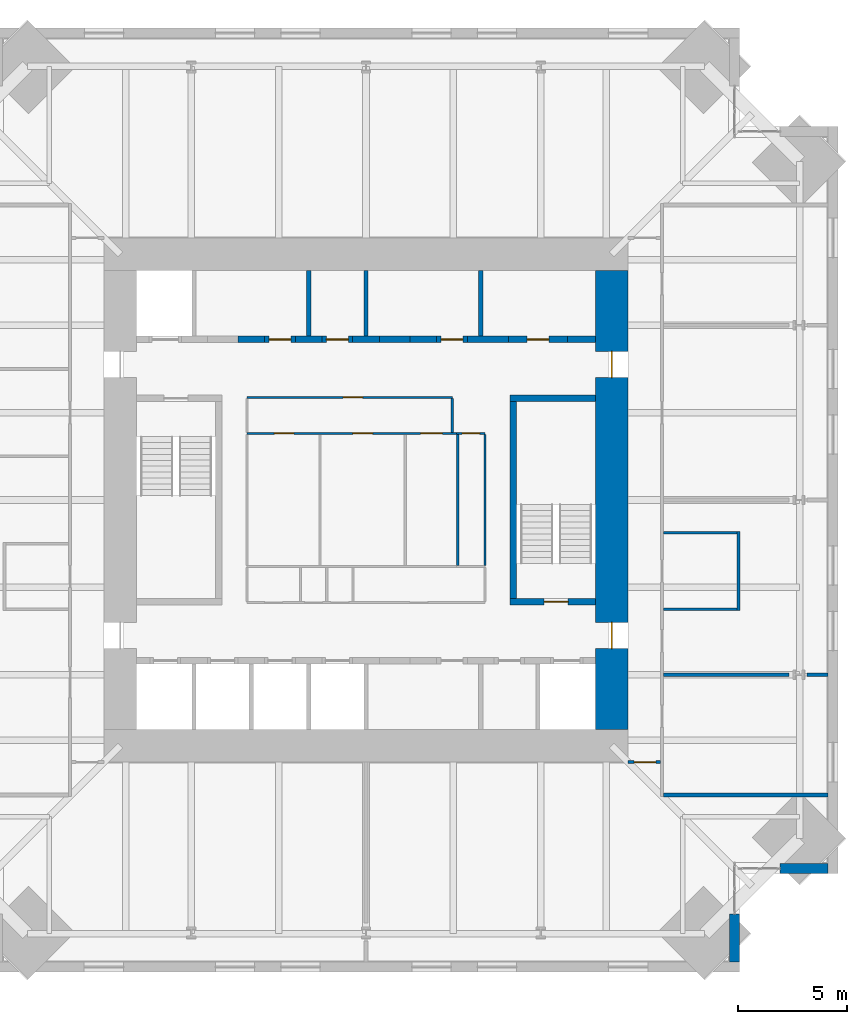
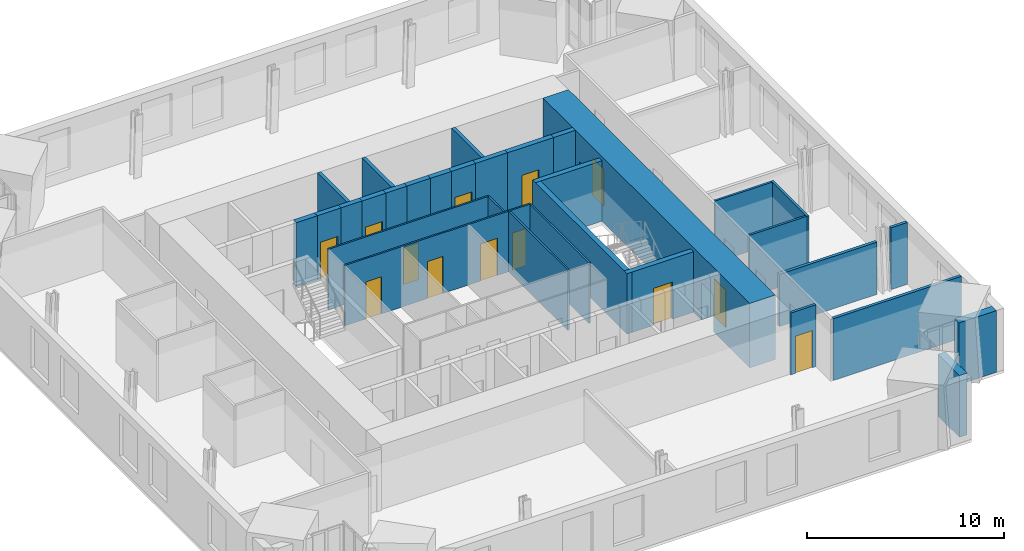
# One storey, part 13 of 16: 33 walls, 13 doors, 13 openings.
"""IFC4 building model written with IfcOpenShell, lengths in metres."""

from ifc_helpers import new_model, si_unit, direction, frame, frame_2d, origin, place, context, subcontext, project, spatial, rectangle, extrude, material, layer, layer_set, type_object, element, fill, save


model = new_model("IFC4")

# Units and contexts
model_context = context("Model", 3, precision=1e-05, world=origin(), true_north=direction((0.0, 1.0)))
body_context = subcontext(model_context, "Body", "Model", "MODEL_VIEW")
ifc_project = project(units=[si_unit("LENGTHUNIT", "METRE"), si_unit("AREAUNIT", "SQUARE_METRE"), si_unit("VOLUMEUNIT", "CUBIC_METRE"), si_unit("PLANEANGLEUNIT", "RADIAN"), si_unit("MASSUNIT", "GRAM", prefix="KILO")], contexts=[model_context])

# Site, building, storey
site_placement = place(None, origin())
site = spatial("IfcSite", under=ifc_project, at=site_placement, CompositionType="ELEMENT")
building_placement = place(site_placement, origin())
building = spatial("IfcBuilding", under=site, at=building_placement, Name="Peilmerk Tower", CompositionType="ELEMENT")
storey_placement = place(building_placement, frame((0.0, 0.0, 273.800048828125)))
storey = spatial("IfcBuildingStorey", under=building, at=storey_placement, Name="L61", CompositionType="ELEMENT", Elevation=273.800048828125)

# Walls
ifc_material_1 = material(Name="Precast concrete C45/55, board-marked finish", Category="concrete")
ifc_layer_1 = layer(ifc_material_1, 0.449951171875)
ifc_layer_set_1 = layer_set([ifc_layer_1], Name="Precast concrete C45/55, board-marked finish")
wall_type_1 = type_object("IfcWallType", Name="EW1 450 precast concrete facade wall, board-marked", PredefinedType="SOLIDWALL", material=ifc_layer_set_1)
for number, where, z_axis, x_axis, name in (
    (1, (16.875, -18.95361328125, 0.0), (0.0, 0.0, 1.0), (0.0, -1.0, 0.0), "Facade wall SEA L61"),
    (2, (18.95361328125, -16.875, 0.0), (0.0, 0.0, 1.0), (1.0, 0.0, 0.0), "Facade wall SEB L61"),
):
    element("IfcWall", number, at=place(storey_placement, frame(where, z_axis=z_axis, x_axis=x_axis)), inside=storey, type_object=wall_type_1, Name=name, PredefinedType="SOLIDWALL", context=body_context, shape_type="SweptSolid", body=[
        extrude(rectangle(XDim=2.1962890625, YDim=0.449951171875, at=frame_2d((1.09814453125, 0.0))), origin(), (0.0, 0.0, 1.0), 3.829833984375),
    ])

# Wall, opening, door
ifc_material_2 = material(Name="Calcium silicate block", Category="masonry")
ifc_layer_2 = layer(ifc_material_2, 0.14990234375)
ifc_layer_set_2 = layer_set([ifc_layer_2], Name="Calcium silicate block")
wall_type_2 = type_object("IfcWallType", Name="IW1 150 corridor partition, EI 60", PredefinedType="PARTITIONING", material=ifc_layer_set_2)
wall_1_placement = place(storey_placement, frame((13.47509765625, -12.0, 0.0), z_axis=(0.0, 0.0, 1.0), x_axis=(-1.0, 0.0, 0.0)))
wall_1 = element("IfcWall", 3, at=wall_1_placement, inside=storey, type_object=wall_type_2, Name="Corridor wall SE L61", PredefinedType="PARTITIONING", context=body_context, shape_type="SweptSolid", body=[
    extrude(rectangle(XDim=1.47509765625, YDim=0.14990234375, at=frame_2d((0.737548828125, 0.0))), origin(), (0.0, 0.0, 1.0), 3.829833984375),
])
opening_1_placement = place(wall_1_placement, frame((0.199951171875, 0.0, 0.0)))
opening_1 = element("IfcOpeningElement", 4, at=opening_1_placement, cuts=wall_1, Name="Opening D1", PredefinedType="OPENING", context=body_context, shape_type="SweptSolid", body=[
    extrude(rectangle(XDim=1.0, YDim=2.300048828125, at=frame_2d((0.5, 1.14990234375))), frame((0.0, 0.0849609375, 0.0), z_axis=(0.0, -1.0, 0.0), x_axis=(1.0, 0.0, 0.0)), (0.0, 0.0, 1.0), 0.169921875),
])
ifc_material_3 = material(Name="Timber door in steel frame", Category="steel")
door_type_1 = type_object("IfcDoorType", Name="D1 1000x2300 room door, EI2 30", OperationType="SINGLE_SWING_LEFT", PredefinedType="DOOR", material=ifc_material_3)
door_1_placement = place(opening_1_placement, origin())
door_1 = element("IfcDoor", 5, at=door_1_placement, inside=storey, type_object=door_type_1, Name="Door Client suite L61", OperationType="SINGLE_SWING_LEFT", OverallHeight=2.300048828125, OverallWidth=1.0, PredefinedType="DOOR", context=body_context, shape_type="SweptSolid", body=[
    extrude(rectangle(XDim=1.0, YDim=2.300048828125, at=frame_2d((0.5, 1.14990234375))), frame((0.0, 0.02490234375, 0.0), z_axis=(0.0, -1.0, 0.0), x_axis=(1.0, 0.0, 0.0)), (0.0, 0.0, 1.0), 0.050048828125),
])
fill(opening_1, door_1)

# Walls
ifc_material_4 = material(Name="Concrete C35/45", Category="concrete")
ifc_layer_3 = layer(ifc_material_4, 0.300048828125)
ifc_layer_set_3 = layer_set([ifc_layer_3], Name="Concrete C35/45")
wall_type_3 = type_object("IfcWallType", Name="IW3 300 concrete stair enclosure wall, EI 120", PredefinedType="SOLIDWALL", material=ifc_layer_set_3)
wall_2_placement = place(storey_placement, frame((6.75, -4.800048828125, 0.0), z_axis=(0.0, 0.0, 1.0), x_axis=(0.0, 1.0, 0.0)))
element("IfcWall", 6, at=wall_2_placement, inside=storey, type_object=wall_type_3, Name="Stair 2 enclosure L61", PredefinedType="SOLIDWALL", context=body_context, shape_type="SweptSolid", body=[
    extrude(rectangle(XDim=9.60009765625, YDim=0.300048828125, at=frame_2d((4.800048828125, 0.0))), origin(), (0.0, 0.0, 1.0), 3.75),
])
wall_3_placement = place(storey_placement, frame((6.60009765625, 4.64990234375, 0.0), z_axis=(0.0, 0.0, 1.0), x_axis=(1.0, 0.0, 0.0)))
element("IfcWall", 7, at=wall_3_placement, inside=storey, type_object=wall_type_3, Name="Stair 2 enclosure L61", PredefinedType="SOLIDWALL", context=body_context, shape_type="SweptSolid", body=[
    extrude(rectangle(XDim=3.89990234375, YDim=0.300048828125, at=frame_2d((1.949951171875, 0.0))), origin(), (0.0, 0.0, 1.0), 3.75),
])

# Wall, opening, door
wall_4_placement = place(storey_placement, frame((10.5, -4.64990234375, 0.0), z_axis=(0.0, 0.0, 1.0), x_axis=(-1.0, 0.0, 0.0)))
wall_4 = element("IfcWall", 8, at=wall_4_placement, inside=storey, type_object=wall_type_3, Name="Stair 2 enclosure L61", PredefinedType="SOLIDWALL", context=body_context, shape_type="SweptSolid", body=[
    extrude(rectangle(XDim=3.89990234375, YDim=0.300048828125, at=frame_2d((1.949951171875, 0.0))), origin(), (0.0, 0.0, 1.0), 3.75),
])
opening_2_placement = place(wall_4_placement, frame((1.25, 0.0, 0.0)))
opening_2 = element("IfcOpeningElement", 9, at=opening_2_placement, cuts=wall_4, Name="Opening D4", PredefinedType="OPENING", context=body_context, shape_type="SweptSolid", body=[
    extrude(rectangle(XDim=1.10009765625, YDim=2.300048828125, at=frame_2d((0.550048828125, 1.14990234375))), frame((0.0, 0.159912109375, 0.0), z_axis=(0.0, -1.0, 0.0), x_axis=(1.0, 0.0, 0.0)), (0.0, 0.0, 1.0), 0.320068359375),
])
ifc_material_5 = material(Name="Steel door in steel frame", Category="steel")
door_type_2 = type_object("IfcDoorType", Name="D4 1100x2300 stair door, EI2 60", OperationType="SINGLE_SWING_RIGHT", PredefinedType="DOOR", material=ifc_material_5)
door_2_placement = place(opening_2_placement, frame((1.10009765625, 0.0, 0.0), z_axis=(0.0, 0.0, 1.0), x_axis=(-1.0, 0.0, 0.0)))
door_2 = element("IfcDoor", 10, at=door_2_placement, inside=storey, type_object=door_type_2, Name="Stair 2 door L61", OperationType="SINGLE_SWING_RIGHT", OverallHeight=2.300048828125, OverallWidth=1.10009765625, PredefinedType="DOOR", context=body_context, shape_type="SweptSolid", body=[
    extrude(rectangle(XDim=1.10009765625, YDim=2.300048828125, at=frame_2d((0.550048828125, 1.14990234375))), frame((0.0, 0.02490234375, 0.0), z_axis=(0.0, -1.0, 0.0), x_axis=(1.0, 0.0, 0.0)), (0.0, 0.0, 1.0), 0.050048828125),
])
fill(opening_2, door_2)

# Wall, openings, doors
ifc_material_6 = material(Name="Plasterboard on steel studs", Category="steel")
ifc_layer_4 = layer(ifc_material_6, 0.10009765625)
ifc_layer_set_4 = layer_set([ifc_layer_4], Name="Plasterboard on steel studs")
wall_type_4 = type_object("IfcWallType", Name="IW4 100 WC partition", PredefinedType="PARTITIONING", material=ifc_layer_set_4)
wall_5_placement = place(storey_placement, frame((-5.449951171875, 3.050048828125, 0.0), z_axis=(0.0, 0.0, 1.0), x_axis=(1.0, 0.0, 0.0)))
wall_5 = element("IfcWall", 11, at=wall_5_placement, inside=storey, type_object=wall_type_4, Name="WC wall L61", PredefinedType="PARTITIONING", context=body_context, shape_type="SweptSolid", body=[
    extrude(rectangle(XDim=9.599853515625, YDim=0.10009765625, at=frame_2d((4.7998046875, 0.0))), origin(), (0.0, 0.0, 1.0), 3.75),
])
opening_3_placement = place(wall_5_placement, frame((1.25, 0.0, 0.0)))
opening_3 = element("IfcOpeningElement", 12, at=opening_3_placement, cuts=wall_5, Name="Opening D5", PredefinedType="OPENING", context=body_context, shape_type="SweptSolid", body=[
    extrude(rectangle(XDim=0.89990234375, YDim=2.300048828125, at=frame_2d((0.449951171875, 1.14990234375))), frame((0.0, 0.06005859375, 0.0), z_axis=(0.0, -1.0, 0.0), x_axis=(1.0, 0.0, 0.0)), (0.0, 0.0, 1.0), 0.1201171875),
])
opening_4_placement = place(wall_5_placement, frame((4.85009765625, 0.0, 0.0)))
opening_4 = element("IfcOpeningElement", 13, at=opening_4_placement, cuts=wall_5, Name="Opening D5", PredefinedType="OPENING", context=body_context, shape_type="SweptSolid", body=[
    extrude(rectangle(XDim=0.89990234375, YDim=2.300048828125, at=frame_2d((0.449951171875, 1.14990234375))), frame((0.0, 0.06005859375, 0.0), z_axis=(0.0, -1.0, 0.0), x_axis=(1.0, 0.0, 0.0)), (0.0, 0.0, 1.0), 0.1201171875),
])
opening_5_placement = place(wall_5_placement, frame((7.949951171875, 0.0, 0.0)))
opening_5 = element("IfcOpeningElement", 14, at=opening_5_placement, cuts=wall_5, Name="Opening D6", PredefinedType="OPENING", context=body_context, shape_type="SweptSolid", body=[
    extrude(rectangle(XDim=1.0, YDim=2.300048828125, at=frame_2d((0.5, 1.14990234375))), frame((0.0, 0.06005859375, 0.0), z_axis=(0.0, -1.0, 0.0), x_axis=(1.0, 0.0, 0.0)), (0.0, 0.0, 1.0), 0.1201171875),
])
door_type_3 = type_object("IfcDoorType", Name="D5 900x2300 WC door", OperationType="SINGLE_SWING_LEFT", PredefinedType="DOOR", material=ifc_material_3)
door_3_placement = place(opening_3_placement, frame((0.89990234375, 0.0, 0.0), z_axis=(0.0, 0.0, 1.0), x_axis=(-1.0, 0.0, 0.0)))
door_3 = element("IfcDoor", 15, at=door_3_placement, inside=storey, type_object=door_type_3, Name="Female toilets door L61", OperationType="SINGLE_SWING_LEFT", OverallHeight=2.300048828125, OverallWidth=0.89990234375, PredefinedType="DOOR", context=body_context, shape_type="SweptSolid", body=[
    extrude(rectangle(XDim=0.89990234375, YDim=2.300048828125, at=frame_2d((0.449951171875, 1.14990234375))), frame((0.0, 0.02490234375, 0.0), z_axis=(0.0, -1.0, 0.0), x_axis=(1.0, 0.0, 0.0)), (0.0, 0.0, 1.0), 0.050048828125),
])
fill(opening_3, door_3)
door_4_placement = place(opening_4_placement, frame((0.89990234375, 0.0, 0.0), z_axis=(0.0, 0.0, 1.0), x_axis=(-1.0, 0.0, 0.0)))
door_4 = element("IfcDoor", 16, at=door_4_placement, inside=storey, type_object=door_type_3, Name="Male toilets door L61", OperationType="SINGLE_SWING_LEFT", OverallHeight=2.300048828125, OverallWidth=0.89990234375, PredefinedType="DOOR", context=body_context, shape_type="SweptSolid", body=[
    extrude(rectangle(XDim=0.89990234375, YDim=2.300048828125, at=frame_2d((0.449951171875, 1.14990234375))), frame((0.0, 0.02490234375, 0.0), z_axis=(0.0, -1.0, 0.0), x_axis=(1.0, 0.0, 0.0)), (0.0, 0.0, 1.0), 0.050048828125),
])
fill(opening_4, door_4)
door_type_4 = type_object("IfcDoorType", Name="D6 1000x2300 accessible WC door", OperationType="SLIDING_TO_LEFT", PredefinedType="DOOR", material=ifc_material_3)
door_5_placement = place(opening_5_placement, frame((1.0, 0.0, 0.0), z_axis=(0.0, 0.0, 1.0), x_axis=(-1.0, 0.0, 0.0)))
door_5 = element("IfcDoor", 17, at=door_5_placement, inside=storey, type_object=door_type_4, Name="Accessible WC door L61", OperationType="SLIDING_TO_LEFT", OverallHeight=2.300048828125, OverallWidth=1.0, PredefinedType="DOOR", context=body_context, shape_type="SweptSolid", body=[
    extrude(rectangle(XDim=1.0, YDim=2.300048828125, at=frame_2d((0.5, 1.14990234375))), frame((0.0, 0.02490234375, 0.0), z_axis=(0.0, -1.0, 0.0), x_axis=(1.0, 0.0, 0.0)), (0.0, 0.0, 1.0), 0.050048828125),
])
fill(opening_5, door_5)

# Wall, opening, door
ifc_material_7 = material(Name="Calcium silicate board on steel studs", Category="steel")
ifc_layer_5 = layer(ifc_material_7, 0.10009765625)
ifc_layer_set_5 = layer_set([ifc_layer_5], Name="Calcium silicate board on steel studs")
wall_type_5 = type_object("IfcWallType", Name="IW5 100 riser enclosure wall, EI 60", PredefinedType="PARTITIONING", material=ifc_layer_set_5)
wall_6_placement = place(storey_placement, frame((4.14990234375, 3.050048828125, 0.0), z_axis=(0.0, 0.0, 1.0), x_axis=(1.0, 0.0, 0.0)))
wall_6 = element("IfcWall", 18, at=wall_6_placement, inside=storey, type_object=wall_type_5, Name="Riser wall L61", PredefinedType="PARTITIONING", context=body_context, shape_type="SweptSolid", body=[
    extrude(rectangle(XDim=1.300048828125, YDim=0.10009765625, at=frame_2d((0.64990234375, 0.0))), origin(), (0.0, 0.0, 1.0), 3.75),
])
opening_6_placement = place(wall_6_placement, frame((0.25, 0.0, 0.0)))
opening_6 = element("IfcOpeningElement", 19, at=opening_6_placement, cuts=wall_6, Name="Opening D7", PredefinedType="OPENING", context=body_context, shape_type="SweptSolid", body=[
    extrude(rectangle(XDim=0.800048828125, YDim=2.300048828125, at=frame_2d((0.39990234375, 1.14990234375))), frame((0.0, 0.06005859375, 0.0), z_axis=(0.0, -1.0, 0.0), x_axis=(1.0, 0.0, 0.0)), (0.0, 0.0, 1.0), 0.1201171875),
])
door_type_5 = type_object("IfcDoorType", Name="D7 800x2300 riser access door, EI2 60", OperationType="SINGLE_SWING_RIGHT", PredefinedType="DOOR", material=ifc_material_5)
door_6_placement = place(opening_6_placement, frame((0.800048828125, 0.0, 0.0), z_axis=(0.0, 0.0, 1.0), x_axis=(-1.0, 0.0, 0.0)))
door_6 = element("IfcDoor", 20, at=door_6_placement, inside=storey, type_object=door_type_5, Name="Plumbing riser door L61", OperationType="SINGLE_SWING_RIGHT", OverallHeight=2.300048828125, OverallWidth=0.800048828125, PredefinedType="DOOR", context=body_context, shape_type="SweptSolid", body=[
    extrude(rectangle(XDim=0.800048828125, YDim=2.300048828125, at=frame_2d((0.39990234375, 1.14990234375))), frame((0.0, 0.02490234375, 0.0), z_axis=(0.0, -1.0, 0.0), x_axis=(1.0, 0.0, 0.0)), (0.0, 0.0, 1.0), 0.050048828125),
])
fill(opening_6, door_6)

# Walls
for number, where, z_axis, x_axis, name in (
    (21, (5.449951171875, 3.0, 0.0), (0.0, 0.0, 1.0), (0.0, -1.0, 0.0), "Riser wall L61"),
    (22, (4.199951171875, -3.0, 0.0), (0.0, 0.0, 1.0), (0.0, 1.0, 0.0), "Riser wall L61"),
):
    element("IfcWall", number, at=place(storey_placement, frame(where, z_axis=z_axis, x_axis=x_axis)), inside=storey, type_object=wall_type_5, Name=name, PredefinedType="PARTITIONING", context=body_context, shape_type="SweptSolid", body=[
        extrude(rectangle(XDim=6.0, YDim=0.10009765625, at=frame_2d((3.0, 0.0))), origin(), (0.0, 0.0, 1.0), 3.75),
    ])
ifc_material_8 = material(Name="Plasterboard on steel studs, double boarded with mineral wool", Category="steel")
ifc_layer_6 = layer(ifc_material_8, 0.125)
ifc_layer_set_6 = layer_set([ifc_layer_6], Name="Plasterboard on steel studs, double boarded with mineral wool")
wall_type_6 = type_object("IfcWallType", Name="IW7 125 acoustic partition, EI 30", PredefinedType="PARTITIONING", material=ifc_layer_set_6)
wall_7_placement = place(storey_placement, frame((17.050048828125, -5.0625, 0.0), z_axis=(0.0, 0.0, 1.0), x_axis=(0.0, 1.0, 0.0)))
element("IfcWall", 23, at=wall_7_placement, inside=storey, type_object=wall_type_6, Name="Acoustic partition Pantry L61", PredefinedType="PARTITIONING", context=body_context, shape_type="SweptSolid", body=[
    extrude(rectangle(XDim=3.625, YDim=0.125, at=frame_2d((1.8125, 0.0))), origin(), (0.0, 0.0, 1.0), 3.829833984375),
])
for number, where, z_axis, x_axis, name in (
    (24, (13.625, -5.0, 0.0), (0.0, 0.0, 1.0), (1.0, 0.0, 0.0), "Acoustic partition Pantry L61"),
    (25, (13.625, -1.5, 0.0), (0.0, 0.0, 1.0), (1.0, 0.0, 0.0), "Acoustic partition Pantry L61"),
):
    element("IfcWall", number, at=place(storey_placement, frame(where, z_axis=z_axis, x_axis=x_axis)), inside=storey, type_object=wall_type_6, Name=name, PredefinedType="PARTITIONING", context=body_context, shape_type="SweptSolid", body=[
        extrude(rectangle(XDim=3.362548828125, YDim=0.125, at=frame_2d((1.68115234375, 0.0))), origin(), (0.0, 0.0, 1.0), 3.829833984375),
    ])
ifc_layer_7 = layer(ifc_material_2, 0.175048828125)
ifc_layer_set_7 = layer_set([ifc_layer_7], Name="Calcium silicate block")
wall_type_7 = type_object("IfcWallType", Name="IW8 175 tenant separating wall, EI 60", PredefinedType="PARTITIONING", material=ifc_layer_set_7)
wall_8_placement = place(storey_placement, frame((21.14990234375, -13.5, 0.0), z_axis=(0.0, 0.0, 1.0), x_axis=(-1.0, 0.0, 0.0)))
element("IfcWall", 26, at=wall_8_placement, inside=storey, type_object=wall_type_7, Name="Tenant separating wall SE L61", PredefinedType="PARTITIONING", context=body_context, shape_type="SweptSolid", body=[
    extrude(rectangle(XDim=7.52490234375, YDim=0.175048828125, at=frame_2d((3.762451171875, 0.0))), origin(), (0.0, 0.0, 1.0), 3.829833984375),
])
wall_9_placement = place(storey_placement, frame((13.625, -8.0, 0.0), z_axis=(0.0, 0.0, 1.0), x_axis=(1.0, 0.0, 0.0)))
element("IfcWall", 27, at=wall_9_placement, inside=storey, type_object=wall_type_7, Name="Tenant separating wall E1 L61", PredefinedType="PARTITIONING", context=body_context, shape_type="SweptSolid", body=[
    extrude(rectangle(XDim=5.740478515625, YDim=0.175048828125, at=frame_2d((2.8701171875, 0.0))), origin(), (0.0, 0.0, 1.0), 3.239990234375),
])
wall_10_placement = place(storey_placement, frame((20.18603515625, -8.0, 0.0), z_axis=(0.0, 0.0, 1.0), x_axis=(1.0, 0.0, 0.0)))
element("IfcWall", 28, at=wall_10_placement, inside=storey, type_object=wall_type_7, Name="Tenant separating wall E1b L61", PredefinedType="PARTITIONING", context=body_context, shape_type="SweptSolid", body=[
    extrude(rectangle(XDim=0.9638671875, YDim=0.175048828125, at=frame_2d((0.48193359375, 0.0))), origin(), (0.0, 0.0, 1.0), 3.829833984375),
])

# Wall, opening, door
ifc_material_9 = material(Name="Fire-resisting plasterboard on steel studs", Category="steel")
ifc_layer_8 = layer(ifc_material_9, 0.10009765625)
ifc_layer_set_8 = layer_set([ifc_layer_8], Name="Fire-resisting plasterboard on steel studs")
wall_type_8 = type_object("IfcWallType", Name="IW9 100 WC lobby wall, EI 30", PredefinedType="PARTITIONING", material=ifc_layer_set_8)
wall_11_placement = place(storey_placement, frame((-5.449951171875, 4.699951171875, 0.0), z_axis=(0.0, 0.0, 1.0), x_axis=(1.0, 0.0, 0.0)))
wall_11 = element("IfcWall", 29, at=wall_11_placement, inside=storey, type_object=wall_type_8, Name="WC lobby wall L61", PredefinedType="PARTITIONING", context=body_context, shape_type="SweptSolid", body=[
    extrude(rectangle(XDim=9.39990234375, YDim=0.10009765625, at=frame_2d((4.699951171875, 0.0))), origin(), (0.0, 0.0, 1.0), 3.75),
])
opening_7_placement = place(wall_11_placement, frame((4.39990234375, 0.0, 0.0)))
opening_7 = element("IfcOpeningElement", 30, at=opening_7_placement, cuts=wall_11, Name="Opening D11", PredefinedType="OPENING", context=body_context, shape_type="SweptSolid", body=[
    extrude(rectangle(XDim=0.89990234375, YDim=2.300048828125, at=frame_2d((0.449951171875, 1.14990234375))), frame((0.0, 0.06005859375, 0.0), z_axis=(0.0, -1.0, 0.0), x_axis=(1.0, 0.0, 0.0)), (0.0, 0.0, 1.0), 0.1201171875),
])
door_type_6 = type_object("IfcDoorType", Name="D11 900x2300 WC lobby door, EI2 30", OperationType="SINGLE_SWING_LEFT", PredefinedType="DOOR", material=ifc_material_3)
door_7_placement = place(opening_7_placement, frame((0.89990234375, 0.0, 0.0), z_axis=(0.0, 0.0, 1.0), x_axis=(-1.0, 0.0, 0.0)))
door_7 = element("IfcDoor", 31, at=door_7_placement, inside=storey, type_object=door_type_6, Name="WC lobby door L61", OperationType="SINGLE_SWING_LEFT", OverallHeight=2.300048828125, OverallWidth=0.89990234375, PredefinedType="DOOR", context=body_context, shape_type="SweptSolid", body=[
    extrude(rectangle(XDim=0.89990234375, YDim=2.300048828125, at=frame_2d((0.449951171875, 1.14990234375))), frame((0.0, 0.02490234375, 0.0), z_axis=(0.0, -1.0, 0.0), x_axis=(1.0, 0.0, 0.0)), (0.0, 0.0, 1.0), 0.050048828125),
])
fill(opening_7, door_7)

# Walls
wall_12_placement = place(storey_placement, frame((3.949951171875, 3.10009765625, 0.0), z_axis=(0.0, 0.0, 1.0), x_axis=(0.0, 1.0, 0.0)))
element("IfcWall", 32, at=wall_12_placement, inside=storey, type_object=wall_type_8, Name="WC lobby wall L61", PredefinedType="PARTITIONING", context=body_context, shape_type="SweptSolid", body=[
    extrude(rectangle(XDim=1.5498046875, YDim=0.10009765625, at=frame_2d((0.77490234375, 0.0))), origin(), (0.0, 0.0, 1.0), 3.75),
])
ifc_layer_9 = layer(ifc_material_2, 0.199951171875)
ifc_layer_set_9 = layer_set([ifc_layer_9], Name="Calcium silicate block")
wall_type_9 = type_object("IfcWallType", Name="SH1 200 shaft dividing wall, EI 120", PredefinedType="PARTITIONING", material=ifc_layer_set_9)
for number, where, z_axis, x_axis, name in (
    (33, (-2.625, 7.5, 0.0), (0.0, 0.0, 1.0), (0.0, 1.0, 0.0), "Shaft wall N A2 L61"),
    (34, (0.0, 7.5, 0.0), (0.0, 0.0, 1.0), (0.0, 1.0, 0.0), "Shaft wall N A3 L61"),
    (35, (5.25, 7.5, 0.0), (0.0, 0.0, 1.0), (0.0, 1.0, 0.0), "Shaft wall N S2 L61"),
):
    element("IfcWall", number, at=place(storey_placement, frame(where, z_axis=z_axis, x_axis=x_axis)), inside=storey, type_object=wall_type_9, Name=name, PredefinedType="PARTITIONING", context=body_context, shape_type="SweptSolid", body=[
        extrude(rectangle(XDim=3.0, YDim=0.199951171875, at=frame_2d((1.5, 0.0))), origin(), (0.0, 0.0, 1.0), 4.0),
    ])

# Wall, opening, door
ifc_layer_10 = layer(ifc_material_2, 0.300048828125)
ifc_layer_set_10 = layer_set([ifc_layer_10], Name="Calcium silicate block")
wall_type_10 = type_object("IfcWallType", Name="SH2 300 lift landing door panel, EI 120", PredefinedType="PARTITIONING", material=ifc_layer_set_10)
wall_13_placement = place(storey_placement, frame((-4.637451171875, 7.35009765625, 0.0), z_axis=(0.0, 0.0, 1.0), x_axis=(1.0, 0.0, 0.0)))
wall_13 = element("IfcWall", 36, at=wall_13_placement, inside=storey, type_object=wall_type_10, Name="Lift door panel N A2 L61", PredefinedType="PARTITIONING", context=body_context, shape_type="SweptSolid", body=[
    extrude(rectangle(XDim=1.39990234375, YDim=0.300048828125, at=frame_2d((0.699951171875, 0.0))), origin(), (0.0, 0.0, 1.0), 4.0),
])
opening_8_placement = place(wall_13_placement, frame((0.199951171875, 0.0, 0.0)))
opening_8 = element("IfcOpeningElement", 37, at=opening_8_placement, cuts=wall_13, Name="Opening D10", PredefinedType="OPENING", context=body_context, shape_type="SweptSolid", body=[
    extrude(rectangle(XDim=1.0, YDim=2.300048828125, at=frame_2d((0.5, 1.14990234375))), frame((0.0, 0.159912109375, 0.0), z_axis=(0.0, -1.0, 0.0), x_axis=(1.0, 0.0, 0.0)), (0.0, 0.0, 1.0), 0.320068359375),
])
door_type_7 = type_object("IfcDoorType", Name="D10 1000x2300 core room door, EI2 60", OperationType="SINGLE_SWING_RIGHT", PredefinedType="DOOR", material=ifc_material_5)
door_8_placement = place(opening_8_placement, origin())
door_8 = element("IfcDoor", 38, at=door_8_placement, inside=storey, type_object=door_type_7, Name="Door Staff room L61", OperationType="SINGLE_SWING_RIGHT", OverallHeight=2.300048828125, OverallWidth=1.0, PredefinedType="DOOR", context=body_context, shape_type="SweptSolid", body=[
    extrude(rectangle(XDim=1.0, YDim=2.300048828125, at=frame_2d((0.5, 1.14990234375))), frame((0.0, 0.02490234375, 0.0), z_axis=(0.0, -1.0, 0.0), x_axis=(1.0, 0.0, 0.0)), (0.0, 0.0, 1.0), 0.050048828125),
])
fill(opening_8, door_8)

wall_14_placement = place(storey_placement, frame((-2.012451171875, 7.35009765625, 0.0), z_axis=(0.0, 0.0, 1.0), x_axis=(1.0, 0.0, 0.0)))
wall_14 = element("IfcWall", 39, at=wall_14_placement, inside=storey, type_object=wall_type_10, Name="Lift door panel N A3 L61", PredefinedType="PARTITIONING", context=body_context, shape_type="SweptSolid", body=[
    extrude(rectangle(XDim=1.39990234375, YDim=0.300048828125, at=frame_2d((0.699951171875, 0.0))), origin(), (0.0, 0.0, 1.0), 4.0),
])
opening_9_placement = place(wall_14_placement, frame((0.199951171875, 0.0, 0.0)))
opening_9 = element("IfcOpeningElement", 40, at=opening_9_placement, cuts=wall_14, Name="Opening D10", PredefinedType="OPENING", context=body_context, shape_type="SweptSolid", body=[
    extrude(rectangle(XDim=1.0, YDim=2.300048828125, at=frame_2d((0.5, 1.14990234375))), frame((0.0, 0.159912109375, 0.0), z_axis=(0.0, -1.0, 0.0), x_axis=(1.0, 0.0, 0.0)), (0.0, 0.0, 1.0), 0.320068359375),
])
door_9_placement = place(opening_9_placement, origin())
door_9 = element("IfcDoor", 41, at=door_9_placement, inside=storey, type_object=door_type_7, Name="Door Staff WC L61", OperationType="SINGLE_SWING_RIGHT", OverallHeight=2.300048828125, OverallWidth=1.0, PredefinedType="DOOR", context=body_context, shape_type="SweptSolid", body=[
    extrude(rectangle(XDim=1.0, YDim=2.300048828125, at=frame_2d((0.5, 1.14990234375))), frame((0.0, 0.02490234375, 0.0), z_axis=(0.0, -1.0, 0.0), x_axis=(1.0, 0.0, 0.0)), (0.0, 0.0, 1.0), 0.050048828125),
])
fill(opening_9, door_9)

# Wall
wall_15_placement = place(storey_placement, frame((0.612548828125, 7.35009765625, 0.0), z_axis=(0.0, 0.0, 1.0), x_axis=(1.0, 0.0, 0.0)))
element("IfcWall", 42, at=wall_15_placement, inside=storey, type_object=wall_type_10, Name="Lift door panel N S1 L61", PredefinedType="PARTITIONING", context=body_context, shape_type="SweptSolid", body=[
    extrude(rectangle(XDim=1.39990234375, YDim=0.300048828125, at=frame_2d((0.699951171875, 0.0))), origin(), (0.0, 0.0, 1.0), 4.0),
])

# Wall, opening, door
wall_16_placement = place(storey_placement, frame((3.237548828125, 7.35009765625, 0.0), z_axis=(0.0, 0.0, 1.0), x_axis=(1.0, 0.0, 0.0)))
wall_16 = element("IfcWall", 43, at=wall_16_placement, inside=storey, type_object=wall_type_10, Name="Lift door panel N S2 L61", PredefinedType="PARTITIONING", context=body_context, shape_type="SweptSolid", body=[
    extrude(rectangle(XDim=1.39990234375, YDim=0.300048828125, at=frame_2d((0.699951171875, 0.0))), origin(), (0.0, 0.0, 1.0), 4.0),
])
opening_10_placement = place(wall_16_placement, frame((0.199951171875, 0.0, 0.0)))
opening_10 = element("IfcOpeningElement", 44, at=opening_10_placement, cuts=wall_16, Name="Opening D10", PredefinedType="OPENING", context=body_context, shape_type="SweptSolid", body=[
    extrude(rectangle(XDim=1.0, YDim=2.300048828125, at=frame_2d((0.5, 1.14990234375))), frame((0.0, 0.159912109375, 0.0), z_axis=(0.0, -1.0, 0.0), x_axis=(1.0, 0.0, 0.0)), (0.0, 0.0, 1.0), 0.320068359375),
])
door_10_placement = place(opening_10_placement, origin())
door_10 = element("IfcDoor", 45, at=door_10_placement, inside=storey, type_object=door_type_7, Name="Door First aid room L61", OperationType="SINGLE_SWING_RIGHT", OverallHeight=2.300048828125, OverallWidth=1.0, PredefinedType="DOOR", context=body_context, shape_type="SweptSolid", body=[
    extrude(rectangle(XDim=1.0, YDim=2.300048828125, at=frame_2d((0.5, 1.14990234375))), frame((0.0, 0.02490234375, 0.0), z_axis=(0.0, -1.0, 0.0), x_axis=(1.0, 0.0, 0.0)), (0.0, 0.0, 1.0), 0.050048828125),
])
fill(opening_10, door_10)

wall_17_placement = place(storey_placement, frame((6.52490234375, 7.35009765625, 0.0), z_axis=(0.0, 0.0, 1.0), x_axis=(1.0, 0.0, 0.0)))
wall_17 = element("IfcWall", 46, at=wall_17_placement, inside=storey, type_object=wall_type_10, Name="Lift door panel N GL1 L61", PredefinedType="PARTITIONING", context=body_context, shape_type="SweptSolid", body=[
    extrude(rectangle(XDim=2.7001953125, YDim=0.300048828125, at=frame_2d((1.35009765625, 0.0))), origin(), (0.0, 0.0, 1.0), 4.0),
])
opening_11_placement = place(wall_17_placement, frame((0.85009765625, 0.0, 0.0)))
opening_11 = element("IfcOpeningElement", 47, at=opening_11_placement, cuts=wall_17, Name="Opening D10", PredefinedType="OPENING", context=body_context, shape_type="SweptSolid", body=[
    extrude(rectangle(XDim=1.0, YDim=2.300048828125, at=frame_2d((0.5, 1.14990234375))), frame((0.0, 0.159912109375, 0.0), z_axis=(0.0, -1.0, 0.0), x_axis=(1.0, 0.0, 0.0)), (0.0, 0.0, 1.0), 0.320068359375),
])
door_11_placement = place(opening_11_placement, origin())
door_11 = element("IfcDoor", 48, at=door_11_placement, inside=storey, type_object=door_type_7, Name="Door Water meter room L61", OperationType="SINGLE_SWING_RIGHT", OverallHeight=2.300048828125, OverallWidth=1.0, PredefinedType="DOOR", context=body_context, shape_type="SweptSolid", body=[
    extrude(rectangle(XDim=1.0, YDim=2.300048828125, at=frame_2d((0.5, 1.14990234375))), frame((0.0, 0.02490234375, 0.0), z_axis=(0.0, -1.0, 0.0), x_axis=(1.0, 0.0, 0.0)), (0.0, 0.0, 1.0), 0.050048828125),
])
fill(opening_11, door_11)

# Wall, openings, doors
ifc_material_10 = material(Name="Concrete C55/67", Category="concrete")
ifc_layer_11 = layer(ifc_material_10, 1.5)
ifc_layer_set_11 = layer_set([ifc_layer_11], Name="Concrete C55/67")
wall_type_11 = type_object("IfcWallType", Name="SW1 1500 core wall", PredefinedType="SHEAR", material=ifc_layer_set_11)
wall_18_placement = place(storey_placement, frame((11.25, 10.5, 0.0), z_axis=(0.0, 0.0, 1.0), x_axis=(0.0, -1.0, 0.0)))
wall_18 = element("IfcWall", 49, at=wall_18_placement, inside=storey, type_object=wall_type_11, Name="Core wall E L61", PredefinedType="SHEAR", context=body_context, shape_type="SweptSolid", body=[
    extrude(rectangle(XDim=21.0, YDim=1.5, at=frame_2d((10.5, 0.0))), origin(), (0.0, 0.0, 1.0), 4.0),
])
opening_12_placement = place(wall_18_placement, frame((3.699951171875, 0.0, 0.0)))
opening_12 = element("IfcOpeningElement", 50, at=opening_12_placement, cuts=wall_18, Name="Opening D3", PredefinedType="OPENING", context=body_context, shape_type="SweptSolid", body=[
    extrude(rectangle(XDim=1.199951171875, YDim=2.300048828125, at=frame_2d((0.60009765625, 1.14990234375))), frame((0.0, 0.760009765625, 0.0), z_axis=(0.0, -1.0, 0.0), x_axis=(1.0, 0.0, 0.0)), (0.0, 0.0, 1.0), 1.52001953125),
])
opening_13_placement = place(wall_18_placement, frame((16.10009765625, 0.0, 0.0)))
opening_13 = element("IfcOpeningElement", 51, at=opening_13_placement, cuts=wall_18, Name="Opening D3", PredefinedType="OPENING", context=body_context, shape_type="SweptSolid", body=[
    extrude(rectangle(XDim=1.199951171875, YDim=2.300048828125, at=frame_2d((0.60009765625, 1.14990234375))), frame((0.0, 0.760009765625, 0.0), z_axis=(0.0, -1.0, 0.0), x_axis=(1.0, 0.0, 0.0)), (0.0, 0.0, 1.0), 1.52001953125),
])
door_type_8 = type_object("IfcDoorType", Name="D3 1200x2300 core door, EI2 60", OperationType="SINGLE_SWING_LEFT", PredefinedType="DOOR", material=ifc_material_5)
door_12_placement = place(opening_12_placement, frame((1.199951171875, 0.0, 0.0), z_axis=(0.0, 0.0, 1.0), x_axis=(-1.0, 0.0, 0.0)))
door_12 = element("IfcDoor", 52, at=door_12_placement, inside=storey, type_object=door_type_8, Name="Core door L61", OperationType="SINGLE_SWING_LEFT", OverallHeight=2.300048828125, OverallWidth=1.199951171875, PredefinedType="DOOR", context=body_context, shape_type="SweptSolid", body=[
    extrude(rectangle(XDim=1.199951171875, YDim=2.300048828125, at=frame_2d((0.60009765625, 1.14990234375))), frame((0.0, 0.02490234375, 0.0), z_axis=(0.0, -1.0, 0.0), x_axis=(1.0, 0.0, 0.0)), (0.0, 0.0, 1.0), 0.050048828125),
])
fill(opening_12, door_12)
door_13_placement = place(opening_13_placement, frame((1.199951171875, 0.0, 0.0), z_axis=(0.0, 0.0, 1.0), x_axis=(-1.0, 0.0, 0.0)))
door_13 = element("IfcDoor", 53, at=door_13_placement, inside=storey, type_object=door_type_8, Name="Core door L61", OperationType="SINGLE_SWING_LEFT", OverallHeight=2.300048828125, OverallWidth=1.199951171875, PredefinedType="DOOR", context=body_context, shape_type="SweptSolid", body=[
    extrude(rectangle(XDim=1.199951171875, YDim=2.300048828125, at=frame_2d((0.60009765625, 1.14990234375))), frame((0.0, 0.02490234375, 0.0), z_axis=(0.0, -1.0, 0.0), x_axis=(1.0, 0.0, 0.0)), (0.0, 0.0, 1.0), 0.050048828125),
])
fill(opening_13, door_13)

# Walls
ifc_layer_12 = layer(ifc_material_10, 0.300048828125)
ifc_layer_set_12 = layer_set([ifc_layer_12], Name="Concrete C55/67")
wall_type_12 = type_object("IfcWallType", Name="SW2 300 lift bank pier", PredefinedType="SHEAR", material=ifc_layer_set_12)
for number, where, z_axis, x_axis, name in (
    (54, (-5.862548828125, 7.35009765625, 0.0), (0.0, 0.0, 1.0), (1.0, 0.0, 0.0), "Lift bank pier N L61"),
    (55, (-3.237548828125, 7.35009765625, 0.0), (0.0, 0.0, 1.0), (1.0, 0.0, 0.0), "Lift bank pier N L61"),
    (56, (-0.612548828125, 7.35009765625, 0.0), (0.0, 0.0, 1.0), (1.0, 0.0, 0.0), "Lift bank pier N L61"),
    (57, (2.012451171875, 7.35009765625, 0.0), (0.0, 0.0, 1.0), (1.0, 0.0, 0.0), "Lift bank pier N L61"),
):
    element("IfcWall", number, at=place(storey_placement, frame(where, z_axis=z_axis, x_axis=x_axis)), inside=storey, type_object=wall_type_12, Name=name, PredefinedType="SHEAR", context=body_context, shape_type="SweptSolid", body=[
        extrude(rectangle(XDim=1.22509765625, YDim=0.300048828125, at=frame_2d((0.612548828125, 0.0))), origin(), (0.0, 0.0, 1.0), 4.0),
    ])
wall_19_placement = place(storey_placement, frame((4.637451171875, 7.35009765625, 0.0), z_axis=(0.0, 0.0, 1.0), x_axis=(1.0, 0.0, 0.0)))
element("IfcWall", 58, at=wall_19_placement, inside=storey, type_object=wall_type_12, Name="Lift bank pier N L61", PredefinedType="SHEAR", context=body_context, shape_type="SweptSolid", body=[
    extrude(rectangle(XDim=1.887451171875, YDim=0.300048828125, at=frame_2d((0.94384765625, 0.0))), origin(), (0.0, 0.0, 1.0), 4.0),
])
wall_20_placement = place(storey_placement, frame((9.22509765625, 7.35009765625, 0.0), z_axis=(0.0, 0.0, 1.0), x_axis=(1.0, 0.0, 0.0)))
element("IfcWall", 59, at=wall_20_placement, inside=storey, type_object=wall_type_12, Name="Lift bank pier N L61", PredefinedType="SHEAR", context=body_context, shape_type="SweptSolid", body=[
    extrude(rectangle(XDim=1.27490234375, YDim=0.300048828125, at=frame_2d((0.637451171875, 0.0))), origin(), (0.0, 0.0, 1.0), 4.0),
])

save(model, "model.ifc")
